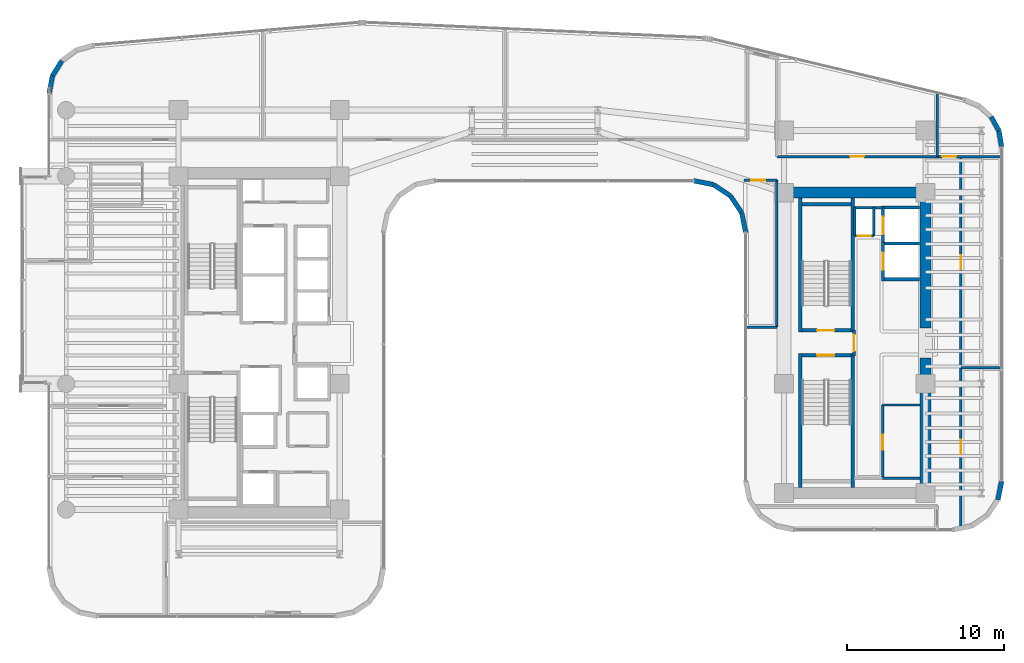
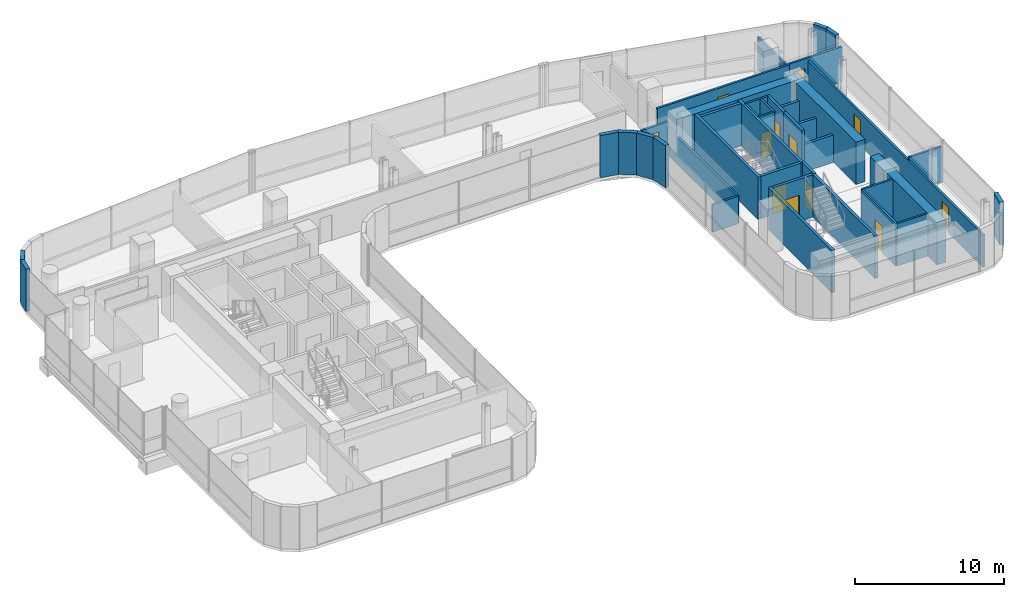
# One storey, part 28 of 34: 40 walls, 12 doors, 12 openings.
"""IFC4 building model written with IfcOpenShell, lengths in metres."""

import ifcopenshell
import ifcopenshell.guid

model = None  # the IFC model being written
_history = None  # IfcOwnerHistory: only IFC2X3 demands one
_inside = {}  # id of a spatial element -> (the spatial element, [elements in it])
_under = {}  # id of a project, library or spatial element -> (it, [spatial elements below it])
_declared = {}  # id of a project -> (the project, [libraries it declares])
_typed = {}  # id of a type object -> (the type object, [elements of that type])
_made_of = {}  # id of a material, layer set ... -> (it, [elements and type objects made of it])


def new_model(schema):
    """Start an empty IFC model of exactly this schema.

    Asked for "IFC4X3", IfcOpenShell would pick the latest addendum, in which some entities
    have other attributes; the version numbers below select the first issue.
    IFC2X3 requires an IfcOwnerHistory on every rooted entity: one is made here for all.
    """
    global model, _history
    if schema == "IFC4X3":
        model = ifcopenshell.file(schema_version=(4, 3, 0, 0))
    else:
        model = ifcopenshell.file(schema=schema)
    _inside.clear()
    _under.clear()
    _declared.clear()
    _typed.clear()
    _made_of.clear()
    _history = None
    if model.schema == "IFC2X3":
        org = make("IfcOrganization", Name="unknown")
        user = make(
            "IfcPersonAndOrganization",
            ThePerson=make("IfcPerson", FamilyName="unknown"),
            TheOrganization=org,
        )
        app = make(
            "IfcApplication",
            ApplicationDeveloper=org,
            Version="unknown",
            ApplicationFullName="unknown",
            ApplicationIdentifier="unknown",
        )
        _history = make(
            "IfcOwnerHistory",
            OwningUser=user,
            OwningApplication=app,
            ChangeAction="ADDED",
            CreationDate=0,
        )
    return model


def make(cls, **values):
    """One entity of the class cls with the attributes given. An attribute that is None is left unset."""
    return model.create_entity(
        cls, **{name: value for name, value in values.items() if value is not None}
    )


def rooted(cls, **values):
    """An entity with a GlobalId (a new one), such as an element, a storey or a relation."""
    return make(cls, GlobalId=ifcopenshell.guid.new(), OwnerHistory=_history, **values)


def si_unit(unit_type, name, prefix=None):
    """IfcSIUnit, for example si_unit("LENGTHUNIT", "METRE", prefix="MILLI")."""
    return make("IfcSIUnit", UnitType=unit_type, Prefix=prefix, Name=name)


def assignment(units):
    """IfcUnitAssignment: the units of a project."""
    return None if units is None else make("IfcUnitAssignment", Units=units)


def point(xyz):
    """IfcCartesianPoint."""
    return None if xyz is None else make("IfcCartesianPoint", Coordinates=xyz)


def direction(xyz):
    """IfcDirection."""
    return None if xyz is None else make("IfcDirection", DirectionRatios=xyz)


def frame(location, z_axis=None, x_axis=None):
    """IfcAxis2Placement3D, a coordinate frame: its origin and axes. An axis left out is left unset."""
    return make(
        "IfcAxis2Placement3D",
        Location=point(location),
        Axis=direction(z_axis),
        RefDirection=direction(x_axis),
    )


def frame_2d(location, x_axis=None):
    """IfcAxis2Placement2D, a coordinate frame in the plane: its origin and x axis."""
    return make(
        "IfcAxis2Placement2D", Location=point(location), RefDirection=direction(x_axis)
    )


def origin():
    """The frame at (0, 0, 0) with its axes left unset."""
    return frame((0.0, 0.0, 0.0))


def place(relative_to, where):
    """IfcLocalPlacement: puts the frame where relative to a parent placement (None: the world)."""
    return make(
        "IfcLocalPlacement", PlacementRelTo=relative_to, RelativePlacement=where
    )


def context(
    kind, dimensions, precision=None, world=None, true_north=None, identifier=None
):
    """IfcGeometricRepresentationContext, for example the 3D "Model" context."""
    return make(
        "IfcGeometricRepresentationContext",
        ContextIdentifier=identifier,
        ContextType=kind,
        CoordinateSpaceDimension=dimensions,
        Precision=precision,
        WorldCoordinateSystem=world,
        TrueNorth=true_north,
    )


def subcontext(parent, identifier, kind, view, scale=None):
    """IfcGeometricRepresentationSubContext, for example "Body" below "Model"."""
    return make(
        "IfcGeometricRepresentationSubContext",
        ContextIdentifier=identifier,
        ContextType=kind,
        ParentContext=parent,
        TargetScale=scale,
        TargetView=view,
    )


def project(units=None, contexts=None):
    """IfcProject with its units and contexts."""
    return rooted(
        "IfcProject",
        Name="project",
        RepresentationContexts=contexts,
        UnitsInContext=assignment(units),
    )


def spatial(cls, under=None, at=None, **own):
    """A site, building, storey or space (cls), placed at a placement, below another one or the project."""
    s = rooted(cls, ObjectPlacement=at, **own)
    if under is not None:
        _under.setdefault(under.id(), (under, []))[1].append(s)
    return s


def profile(cls, at=None, kind="AREA", **sizes):
    """A parametric profile (cls). Its sizes go by their IFC names, for example OverallWidth=200.0."""
    return make(cls, ProfileType=kind, Position=at, **sizes)


def rectangle(**sizes):
    """IfcRectangleProfileDef."""
    return profile("IfcRectangleProfileDef", **sizes)


def extrude(swept, where, along, depth):
    """IfcExtrudedAreaSolid: the profile swept, set in the frame where, extruded along a direction by depth."""
    return make(
        "IfcExtrudedAreaSolid",
        SweptArea=swept,
        Position=where,
        ExtrudedDirection=direction(along),
        Depth=depth,
    )


def shape(context_of_items, identifier, shape_type, items):
    """IfcShapeRepresentation: the items that make up one representation, for example the "Body"."""
    return make(
        "IfcShapeRepresentation",
        ContextOfItems=context_of_items,
        RepresentationIdentifier=identifier,
        RepresentationType=shape_type,
        Items=items,
    )


def material(Name=None, Category=None):
    """IfcMaterial."""
    return make("IfcMaterial", Name=Name, Category=Category)


def layer(
    of_material, thickness, ventilated=None, Name=None, Category=None, Priority=None
):
    """IfcMaterialLayer: one layer of a wall or slab, of a material (None: an air gap)."""
    return make(
        "IfcMaterialLayer",
        Material=of_material,
        LayerThickness=thickness,
        IsVentilated=ventilated,
        Name=Name,
        Category=Category,
        Priority=Priority,
    )


def layer_set(layers, Name=None):
    """IfcMaterialLayerSet."""
    return make("IfcMaterialLayerSet", MaterialLayers=layers, LayerSetName=Name)


def made_of(thing, what):
    """Note that an element or type object is made of a material, layer set ...; save() writes the relation."""
    if what is not None:
        _made_of.setdefault(what.id(), (what, []))[1].append(thing)
    return thing


def type_object(cls, material=None, **own):
    """A type object (cls), such as IfcWallType, which elements share."""
    return made_of(rooted(cls, **own), material)


def element(
    cls,
    number,
    at=None,
    inside=None,
    cuts=None,
    type_object=None,
    material=None,
    context=None,
    identifier="Body",
    shape_type=None,
    held_by="IfcProductDefinitionShape",
    body=None,
    shapes=None,
    **own,
):
    """One element of the class cls, such as IfcWall. Its Tag is "e" and its number.

    at: its placement. inside: the storey or other place that contains it. cuts: it is an
    opening in that element (IfcRelVoidsElement). A single representation is given by context,
    identifier, shape_type and body (its items); several are given by shapes. held_by: the class
    of the entity that holds the representations. save() writes the other relations.
    """
    e = rooted(cls, Tag="e%d" % number, ObjectPlacement=at, **own)
    if body is not None:
        shapes = [shape(context, identifier, shape_type, body)]
    if shapes is not None:
        e.Representation = make(held_by, Representations=shapes)
    if inside is not None:
        _inside.setdefault(inside.id(), (inside, []))[1].append(e)
    if cuts is not None:
        rooted(
            "IfcRelVoidsElement", RelatingBuildingElement=cuts, RelatedOpeningElement=e
        )
    if type_object is not None:
        _typed.setdefault(type_object.id(), (type_object, []))[1].append(e)
    return made_of(e, material)


def fill(opening, filler):
    """IfcRelFillsElement: the door or window that sits in an opening."""
    return rooted(
        "IfcRelFillsElement",
        RelatingOpeningElement=opening,
        RelatedBuildingElement=filler,
    )


def aggregate(whole, parts):
    """IfcRelAggregates: a whole, such as a stair, and the parts it consists of."""
    return rooted("IfcRelAggregates", RelatingObject=whole, RelatedObjects=parts)


def save(model, path):
    """Write the relations noted so far, then the file.

    IfcRelAggregates (storeys below a building ...), IfcRelContainedInSpatialStructure (elements
    in a storey), IfcRelDefinesByType, IfcRelAssociatesMaterial and IfcRelDeclares: one each for
    every whole, place, type object, material and project.
    """
    for whole, parts in _under.values():
        aggregate(whole, parts)
    for where, things in _inside.values():
        rooted(
            "IfcRelContainedInSpatialStructure",
            RelatedElements=things,
            RelatingStructure=where,
        )
    for kind, things in _typed.values():
        rooted("IfcRelDefinesByType", RelatedObjects=things, RelatingType=kind)
    for what, things in _made_of.values():
        rooted("IfcRelAssociatesMaterial", RelatedObjects=things, RelatingMaterial=what)
    for by, libraries in _declared.values():
        rooted("IfcRelDeclares", RelatingContext=by, RelatedDefinitions=libraries)
    model.write(path)


model = new_model("IFC4")

# Units and contexts
model_context = context("Model", 3, precision=1e-05, world=origin(), true_north=direction((0.0, 1.0)))
body_context = subcontext(model_context, "Body", "Model", "MODEL_VIEW")
ifc_project = project(units=[si_unit("LENGTHUNIT", "METRE"), si_unit("AREAUNIT", "SQUARE_METRE"), si_unit("VOLUMEUNIT", "CUBIC_METRE"), si_unit("PLANEANGLEUNIT", "RADIAN"), si_unit("MASSUNIT", "GRAM", prefix="KILO")], contexts=[model_context])

# Site, building, storey
site_placement = place(None, origin())
site = spatial("IfcSite", under=ifc_project, at=site_placement, CompositionType="ELEMENT")
building_placement = place(site_placement, origin())
building = spatial("IfcBuilding", under=site, at=building_placement, Name="Valdorenza Pilgrim Sanctuary Tower", CompositionType="ELEMENT")
storey_placement = place(building_placement, frame((0.0, 0.0, 142.699951171875)))
storey = spatial("IfcBuildingStorey", under=building, at=storey_placement, Name="L36", CompositionType="ELEMENT", Elevation=142.699951171875)

# Wall, opening, door
ifc_material_1 = material(Name="Acoustic twin-stud gypsum partition", Category="gypsum")
ifc_layer_1 = layer(ifc_material_1, 0.159912109375, Name="Acoustic twin-stud gypsum partition")
ifc_layer_set_1 = layer_set([ifc_layer_1], Name="Acoustic twin-stud gypsum partition")
wall_type_1 = type_object("IfcWallType", Name="WAL-COR-160", PredefinedType="PARTITIONING", material=ifc_layer_set_1)
wall_1_placement = place(storey_placement, frame((20.35009765625, 6.800048828125, 0.0), z_axis=(0.0, 0.0, 1.0), x_axis=(1.0, 0.0, 0.0)))
wall_1 = element("IfcWall", 1, at=wall_1_placement, inside=storey, type_object=wall_type_1, Name="L36 Core B Riser South Wall", PredefinedType="PARTITIONING", context=body_context, shape_type="SweptSolid", body=[
    extrude(rectangle(XDim=1.199951171875, YDim=0.159912109375, at=frame_2d((0.60009765625, 0.0))), origin(), (0.0, 0.0, 1.0), 3.4599609375),
])
opening_1_placement = place(wall_1_placement, frame((0.175048828125, 0.0, 0.0)))
opening_1 = element("IfcOpeningElement", 2, at=opening_1_placement, cuts=wall_1, Name="Opening DR-RS1", PredefinedType="OPENING", context=body_context, shape_type="SweptSolid", body=[
    extrude(rectangle(XDim=0.85009765625, YDim=2.050048828125, at=frame_2d((0.425048828125, 1.02490234375))), frame((0.0, 0.0947265625, 0.0), z_axis=(0.0, -1.0, 0.0), x_axis=(1.0, 0.0, 0.0)), (0.0, 0.0, 1.0), 0.189697265625),
])
ifc_material_2 = material(Name="Painted galvanized steel", Category="steel")
door_type_1 = type_object("IfcDoorType", Name="DR-RSR-850", OperationType="NOTDEFINED", PredefinedType="DOOR", material=ifc_material_2)
door_1_placement = place(opening_1_placement, origin())
door_1 = element("IfcDoor", 3, at=door_1_placement, inside=storey, type_object=door_type_1, Name="L36 Core B Electrical Riser Door", OperationType="SINGLE_SWING_RIGHT", OverallHeight=2.050048828125, OverallWidth=0.85009765625, PredefinedType="DOOR", context=body_context, shape_type="SweptSolid", body=[
    extrude(rectangle(XDim=0.85009765625, YDim=2.050048828125, at=frame_2d((0.425048828125, 1.02490234375))), frame((0.0, 0.02490234375, 0.0), z_axis=(0.0, -1.0, 0.0), x_axis=(1.0, 0.0, 0.0)), (0.0, 0.0, 1.0), 0.050048828125),
])
fill(opening_1, door_1)

# Walls
for number, where, z_axis, x_axis, name in (
    (4, (21.550048828125, 6.800048828125, 0.0), (0.0, 0.0, 1.0), (0.0, 1.0, 0.0), "L36 Core B Riser East Wall"),
    (5, (20.35009765625, 6.800048828125, 0.0), (0.0, 0.0, 1.0), (0.0, 1.0, 0.0), "L36 Core B Riser West Wall"),
):
    element("IfcWall", number, at=place(storey_placement, frame(where, z_axis=z_axis, x_axis=x_axis)), inside=storey, type_object=wall_type_1, Name=name, PredefinedType="PARTITIONING", context=body_context, shape_type="SweptSolid", body=[
        extrude(rectangle(XDim=1.800048828125, YDim=0.159912109375, at=frame_2d((0.89990234375, 0.0))), origin(), (0.0, 0.0, 1.0), 3.4599609375),
    ])
wall_2_placement = place(storey_placement, frame((20.300048828125, 8.60009765625, 0.0), z_axis=(0.0, 0.0, 1.0), x_axis=(1.0, 0.0, 0.0)))
element("IfcWall", 6, at=wall_2_placement, inside=storey, type_object=wall_type_1, Name="L36 Core B Lift Hall North End Wall", PredefinedType="PARTITIONING", context=body_context, shape_type="SweptSolid", body=[
    extrude(rectangle(XDim=1.820068359375, YDim=0.159912109375, at=frame_2d((0.91015625, 0.0))), origin(), (0.0, 0.0, 1.0), 3.4599609375),
])

# Wall, opening, door
wall_3_placement = place(storey_placement, frame((22.1201171875, -8.60009765625, 0.0), z_axis=(0.0, 0.0, 1.0), x_axis=(0.0, 1.0, 0.0)))
wall_3 = element("IfcWall", 7, at=wall_3_placement, inside=storey, type_object=wall_type_1, Name="L36 Core B Freed Shaft West Wall", PredefinedType="PARTITIONING", context=body_context, shape_type="SweptSolid", body=[
    extrude(rectangle(XDim=4.650146484375, YDim=0.159912109375, at=frame_2d((2.3251953125, 0.0))), origin(), (0.0, 0.0, 1.0), 3.4599609375),
])
opening_2_placement = place(wall_3_placement, frame((1.800048828125, 0.0, 0.0)))
opening_2 = element("IfcOpeningElement", 8, at=opening_2_placement, cuts=wall_3, Name="Opening DR-UN1", PredefinedType="OPENING", context=body_context, shape_type="SweptSolid", body=[
    extrude(rectangle(XDim=0.949951171875, YDim=2.14990234375, at=frame_2d((0.47509765625, 1.074951171875))), frame((0.0, 0.0947265625, 0.0), z_axis=(0.0, -1.0, 0.0), x_axis=(1.0, 0.0, 0.0)), (0.0, 0.0, 1.0), 0.189697265625),
])
ifc_material_3 = material(Name="Solid-core European oak timber", Category="wood")
door_type_2 = type_object("IfcDoorType", Name="DR-UNIT-950", OperationType="NOTDEFINED", PredefinedType="DOOR", material=ifc_material_3)
door_2_placement = place(opening_2_placement, origin())
door_2 = element("IfcDoor", 9, at=door_2_placement, inside=storey, type_object=door_type_2, Name="L36 East Core Linen Store Door", OperationType="SINGLE_SWING_LEFT", OverallHeight=2.14990234375, OverallWidth=0.949951171875, PredefinedType="DOOR", context=body_context, shape_type="SweptSolid", body=[
    extrude(rectangle(XDim=0.949951171875, YDim=2.14990234375, at=frame_2d((0.47509765625, 1.074951171875))), frame((0.0, 0.02490234375, 0.0), z_axis=(0.0, -1.0, 0.0), x_axis=(1.0, 0.0, 0.0)), (0.0, 0.0, 1.0), 0.050048828125),
])
fill(opening_2, door_2)

wall_4_placement = place(storey_placement, frame((15.39990234375, 11.85009765625, 0.0), z_axis=(0.0, 0.0, 1.0), x_axis=(1.0, 0.0, 0.0)))
wall_4 = element("IfcWall", 10, at=wall_4_placement, inside=storey, type_object=wall_type_1, Name="L36 Wing B North Corridor Wall", PredefinedType="PARTITIONING", context=body_context, shape_type="SweptSolid", body=[
    extrude(rectangle(XDim=10.2001953125, YDim=0.159912109375, at=frame_2d((5.10009765625, 0.0))), origin(), (0.0, 0.0, 1.0), 2.833984375),
])
opening_3_placement = place(wall_4_placement, frame((4.64990234375, 0.0, 0.0)))
opening_3 = element("IfcOpeningElement", 11, at=opening_3_placement, cuts=wall_4, Name="Opening DR-RM1", PredefinedType="OPENING", context=body_context, shape_type="SweptSolid", body=[
    extrude(rectangle(XDim=0.89990234375, YDim=2.10009765625, at=frame_2d((0.449951171875, 1.050048828125))), frame((0.0, 0.0947265625, 0.0), z_axis=(0.0, -1.0, 0.0), x_axis=(1.0, 0.0, 0.0)), (0.0, 0.0, 1.0), 0.189697265625),
])
door_type_3 = type_object("IfcDoorType", Name="DR-ROOM-900", OperationType="NOTDEFINED", PredefinedType="DOOR", material=ifc_material_3)
door_3_placement = place(opening_3_placement, frame((0.89990234375, 0.0, 0.0), z_axis=(0.0, 0.0, 1.0), x_axis=(-1.0, 0.0, 0.0)))
door_3 = element("IfcDoor", 12, at=door_3_placement, inside=storey, type_object=door_type_3, Name="L36 Curator Research Office L36-BN1 Door", OperationType="SINGLE_SWING_LEFT", OverallHeight=2.10009765625, OverallWidth=0.89990234375, PredefinedType="DOOR", context=body_context, shape_type="SweptSolid", body=[
    extrude(rectangle(XDim=0.89990234375, YDim=2.10009765625, at=frame_2d((0.449951171875, 1.050048828125))), frame((0.0, 0.02490234375, 0.0), z_axis=(0.0, -1.0, 0.0), x_axis=(1.0, 0.0, 0.0)), (0.0, 0.0, 1.0), 0.050048828125),
])
fill(opening_3, door_3)

# Wall
wall_5_placement = place(storey_placement, frame((25.60009765625, 11.85009765625, 0.0), z_axis=(0.0, 0.0, 1.0), x_axis=(0.0, 1.0, 0.0)))
element("IfcWall", 13, at=wall_5_placement, inside=storey, type_object=wall_type_1, Name="L36 Wing B North East Wall", PredefinedType="PARTITIONING", context=body_context, shape_type="SweptSolid", body=[
    extrude(rectangle(XDim=4.042236328125, YDim=0.159912109375, at=frame_2d((2.02099609375, 0.0))), origin(), (0.0, 0.0, 1.0), 2.666015625),
])

# Wall, openings, doors
wall_6_placement = place(storey_placement, frame((27.10009765625, -11.660888671875, 0.0), z_axis=(0.0, 0.0, 1.0), x_axis=(0.0, 1.0, 0.0)))
wall_6 = element("IfcWall", 14, at=wall_6_placement, inside=storey, type_object=wall_type_1, Name="L36 Wing B East Corridor Wall", PredefinedType="PARTITIONING", context=body_context, shape_type="SweptSolid", body=[
    extrude(rectangle(XDim=23.510986328125, YDim=0.159912109375, at=frame_2d((11.75537109375, 0.0))), origin(), (0.0, 0.0, 1.0), 2.666015625),
])
opening_4_placement = place(wall_6_placement, frame((4.593017578125, 0.0, 0.0)))
opening_4 = element("IfcOpeningElement", 15, at=opening_4_placement, cuts=wall_6, Name="Opening DR-RM1", PredefinedType="OPENING", context=body_context, shape_type="SweptSolid", body=[
    extrude(rectangle(XDim=0.89990234375, YDim=2.10009765625, at=frame_2d((0.449951171875, 1.050048828125))), frame((0.0, 0.0947265625, 0.0), z_axis=(0.0, -1.0, 0.0), x_axis=(1.0, 0.0, 0.0)), (0.0, 0.0, 1.0), 0.189697265625),
])
opening_5_placement = place(wall_6_placement, frame((16.347900390625, 0.0, 0.0)))
opening_5 = element("IfcOpeningElement", 16, at=opening_5_placement, cuts=wall_6, Name="Opening DR-RM1", PredefinedType="OPENING", context=body_context, shape_type="SweptSolid", body=[
    extrude(rectangle(XDim=0.89990234375, YDim=2.10009765625, at=frame_2d((0.449951171875, 1.050048828125))), frame((0.0, 0.0947265625, 0.0), z_axis=(0.0, -1.0, 0.0), x_axis=(1.0, 0.0, 0.0)), (0.0, 0.0, 1.0), 0.189697265625),
])
door_4_placement = place(opening_4_placement, origin())
door_4 = element("IfcDoor", 17, at=door_4_placement, inside=storey, type_object=door_type_3, Name="L36 Private Banquet Dining Room L36-EB1 Door", OperationType="SINGLE_SWING_RIGHT", OverallHeight=2.10009765625, OverallWidth=0.89990234375, PredefinedType="DOOR", context=body_context, shape_type="SweptSolid", body=[
    extrude(rectangle(XDim=0.89990234375, YDim=2.10009765625, at=frame_2d((0.449951171875, 1.050048828125))), frame((0.0, 0.02490234375, 0.0), z_axis=(0.0, -1.0, 0.0), x_axis=(1.0, 0.0, 0.0)), (0.0, 0.0, 1.0), 0.050048828125),
])
fill(opening_4, door_4)
door_5_placement = place(opening_5_placement, frame((0.89990234375, 0.0, 0.0), z_axis=(0.0, 0.0, 1.0), x_axis=(-1.0, 0.0, 0.0)))
door_5 = element("IfcDoor", 18, at=door_5_placement, inside=storey, type_object=door_type_3, Name="L36 Private Banquet Dining Room L36-EB2 Door", OperationType="SINGLE_SWING_LEFT", OverallHeight=2.10009765625, OverallWidth=0.89990234375, PredefinedType="DOOR", context=body_context, shape_type="SweptSolid", body=[
    extrude(rectangle(XDim=0.89990234375, YDim=2.10009765625, at=frame_2d((0.449951171875, 1.050048828125))), frame((0.0, 0.02490234375, 0.0), z_axis=(0.0, -1.0, 0.0), x_axis=(1.0, 0.0, 0.0)), (0.0, 0.0, 1.0), 0.050048828125),
])
fill(opening_5, door_5)

# Wall, opening, door
wall_7_placement = place(storey_placement, frame((25.60009765625, 11.85009765625, 0.0), z_axis=(0.0, 0.0, 1.0), x_axis=(1.0, 0.0, 0.0)))
wall_7 = element("IfcWall", 19, at=wall_7_placement, inside=storey, type_object=wall_type_1, Name="L36 East Wing NE Corner South Wall", PredefinedType="PARTITIONING", context=body_context, shape_type="SweptSolid", body=[
    extrude(rectangle(XDim=4.08984375, YDim=0.159912109375, at=frame_2d((2.044921875, 0.0))), origin(), (0.0, 0.0, 1.0), 2.89599609375),
])
opening_6_placement = place(wall_7_placement, frame((0.300048828125, 0.0, 0.0)))
opening_6 = element("IfcOpeningElement", 20, at=opening_6_placement, cuts=wall_7, Name="Opening DR-RM1", PredefinedType="OPENING", context=body_context, shape_type="SweptSolid", body=[
    extrude(rectangle(XDim=0.89990234375, YDim=2.10009765625, at=frame_2d((0.449951171875, 1.050048828125))), frame((0.0, 0.0947265625, 0.0), z_axis=(0.0, -1.0, 0.0), x_axis=(1.0, 0.0, 0.0)), (0.0, 0.0, 1.0), 0.189697265625),
])
door_6_placement = place(opening_6_placement, origin())
door_6 = element("IfcDoor", 21, at=door_6_placement, inside=storey, type_object=door_type_3, Name="L36 East North Alcove Office L36 Door", OperationType="SINGLE_SWING_LEFT", OverallHeight=2.10009765625, OverallWidth=0.89990234375, PredefinedType="DOOR", context=body_context, shape_type="SweptSolid", body=[
    extrude(rectangle(XDim=0.89990234375, YDim=2.10009765625, at=frame_2d((0.449951171875, 1.050048828125))), frame((0.0, 0.02490234375, 0.0), z_axis=(0.0, -1.0, 0.0), x_axis=(1.0, 0.0, 0.0)), (0.0, 0.0, 1.0), 0.050048828125),
])
fill(opening_6, door_6)

wall_8_placement = place(storey_placement, frame((13.300048828125, 10.35009765625, 0.0), z_axis=(0.0, 0.0, 1.0), x_axis=(1.0, 0.0, 0.0)))
wall_8 = element("IfcWall", 22, at=wall_8_placement, inside=storey, type_object=wall_type_1, Name="L36 Courtyard Overlook North Wall", PredefinedType="PARTITIONING", context=body_context, shape_type="SweptSolid", body=[
    extrude(rectangle(XDim=2.099853515625, YDim=0.159912109375, at=frame_2d((1.0498046875, 0.0))), origin(), (0.0, 0.0, 1.0), 2.666015625),
])
opening_7_placement = place(wall_8_placement, frame((0.449951171875, 0.0, 0.0)))
opening_7 = element("IfcOpeningElement", 23, at=opening_7_placement, cuts=wall_8, Name="Opening DR-RM1", PredefinedType="OPENING", context=body_context, shape_type="SweptSolid", body=[
    extrude(rectangle(XDim=0.89990234375, YDim=2.10009765625, at=frame_2d((0.449951171875, 1.050048828125))), frame((0.0, 0.0947265625, 0.0), z_axis=(0.0, -1.0, 0.0), x_axis=(1.0, 0.0, 0.0)), (0.0, 0.0, 1.0), 0.189697265625),
])
door_7_placement = place(opening_7_placement, origin())
door_7 = element("IfcDoor", 24, at=door_7_placement, inside=storey, type_object=door_type_3, Name="L36 Courtyard Overlook Salon Door", OperationType="SINGLE_SWING_RIGHT", OverallHeight=2.10009765625, OverallWidth=0.89990234375, PredefinedType="DOOR", context=body_context, shape_type="SweptSolid", body=[
    extrude(rectangle(XDim=0.89990234375, YDim=2.10009765625, at=frame_2d((0.449951171875, 1.050048828125))), frame((0.0, 0.02490234375, 0.0), z_axis=(0.0, -1.0, 0.0), x_axis=(1.0, 0.0, 0.0)), (0.0, 0.0, 1.0), 0.050048828125),
])
fill(opening_7, door_7)

# Walls
wall_9_placement = place(storey_placement, frame((15.39990234375, 1.0, 0.0), z_axis=(0.0, 0.0, 1.0), x_axis=(0.0, 1.0, 0.0)))
element("IfcWall", 25, at=wall_9_placement, inside=storey, type_object=wall_type_1, Name="L36 Courtyard Overlook East Wall", PredefinedType="PARTITIONING", context=body_context, shape_type="SweptSolid", body=[
    extrude(rectangle(XDim=9.35009765625, YDim=0.159912109375, at=frame_2d((4.675048828125, 0.0))), origin(), (0.0, 0.0, 1.0), 2.2451171875),
])
wall_10_placement = place(storey_placement, frame((13.409912109375, 1.0, 0.0), z_axis=(0.0, 0.0, 1.0), x_axis=(1.0, 0.0, 0.0)))
element("IfcWall", 26, at=wall_10_placement, inside=storey, type_object=wall_type_1, Name="L36 Courtyard Overlook South Wall", PredefinedType="PARTITIONING", context=body_context, shape_type="SweptSolid", body=[
    extrude(rectangle(XDim=1.989990234375, YDim=0.159912109375, at=frame_2d((0.9951171875, 0.0))), origin(), (0.0, 0.0, 1.0), 2.2451171875),
])
ifc_material_4 = material(Name="Concrete C60/75", Category="concrete")
ifc_layer_2 = layer(ifc_material_4, 0.699951171875, Name="Concrete C60/75")
ifc_layer_set_2 = layer_set([ifc_layer_2], Name="Concrete C60/75")
wall_type_2 = type_object("IfcWallType", Name="WAL-COR-700", PredefinedType="SHEAR", material=ifc_layer_set_2)
for number, where, z_axis, x_axis, name in (
    (27, (24.85009765625, -9.89990234375, 0.0), (0.0, 0.0, 1.0), (0.0, 1.0, 0.0), "L36 Split Core B Shear Wall ES"),
    (28, (24.85009765625, 0.949951171875, 0.0), (0.0, 0.0, 1.0), (0.0, 1.0, 0.0), "L36 Split Core B Shear Wall EN"),
):
    element("IfcWall", number, at=place(storey_placement, frame(where, z_axis=z_axis, x_axis=x_axis)), inside=storey, type_object=wall_type_2, Name=name, PredefinedType="SHEAR", context=body_context, shape_type="SweptSolid", body=[
        extrude(rectangle(XDim=8.949951171875, YDim=0.699951171875, at=frame_2d((4.47509765625, 0.0))), origin(), (0.0, 0.0, 1.0), 3.4599609375),
    ])
wall_11_placement = place(storey_placement, frame((15.85009765625, 9.550048828125, 0.0), z_axis=(0.0, 0.0, 1.0), x_axis=(1.0, 0.0, 0.0)))
element("IfcWall", 29, at=wall_11_placement, inside=storey, type_object=wall_type_2, Name="L36 Split Core B Shear Wall N", PredefinedType="SHEAR", context=body_context, shape_type="SweptSolid", body=[
    extrude(rectangle(XDim=9.0, YDim=0.699951171875, at=frame_2d((4.5, 0.0))), origin(), (0.0, 0.0, 1.0), 3.4599609375),
])
ifc_material_5 = material(Name="Honed travertine limestone", Category="masonry")
ifc_layer_3 = layer(ifc_material_5, 0.300048828125, Name="Honed travertine limestone")
ifc_layer_set_3 = layer_set([ifc_layer_3], Name="Honed travertine limestone")
wall_type_3 = type_object("IfcWallType", Name="WAL-EXT-300", PredefinedType="SOLIDWALL", material=ifc_layer_set_3)
wall_12_placement = place(storey_placement, frame((-30.889892578125, 15.850341796875, 0.0), z_axis=(0.0, 0.0, 1.0), x_axis=(0.184557499391, 0.982821718023, 0.0)))
element("IfcWall", 30, at=wall_12_placement, inside=storey, type_object=wall_type_3, Name="L36 Rounded Wind-Corner Stone Pier 2", PredefinedType="SOLIDWALL", context=body_context, shape_type="SweptSolid", body=[
    extrude(rectangle(XDim=1.15087890625, YDim=0.300048828125, at=frame_2d((0.575439453125, 0.0))), origin(), (0.0, 0.0, 1.0), 3.4599609375),
])
wall_13_placement = place(storey_placement, frame((-30.677490234375, 16.9814453125, 0.0), z_axis=(0.0, 0.0, 1.0), x_axis=(0.52880576008, 0.848742875143, 0.0)))
element("IfcWall", 31, at=wall_13_placement, inside=storey, type_object=wall_type_3, Name="L36 Rounded Wind-Corner Stone Pier 3", PredefinedType="SOLIDWALL", context=body_context, shape_type="SweptSolid", body=[
    extrude(rectangle(XDim=1.140869140625, YDim=0.300048828125, at=frame_2d((0.5703125, 0.0))), origin(), (0.0, 0.0, 1.0), 3.4599609375),
])
wall_14_placement = place(storey_placement, frame((29.024658203125, 14.388427734375, 0.0), z_axis=(0.0, 0.0, 1.0), x_axis=(0.480284137298, -0.87711296163, 0.0)))
element("IfcWall", 32, at=wall_14_placement, inside=storey, type_object=wall_type_3, Name="L36 Rounded Wind-Corner Stone Pier 19", PredefinedType="SOLIDWALL", context=body_context, shape_type="SweptSolid", body=[
    extrude(rectangle(XDim=1.02685546875, YDim=0.300048828125, at=frame_2d((0.513427734375, 0.0))), origin(), (0.0, 0.0, 1.0), 3.4599609375),
])
wall_15_placement = place(storey_placement, frame((29.517822265625, 13.48779296875, 0.0), z_axis=(0.0, 0.0, 1.0), x_axis=(0.166156796952, -0.986099345313, 0.0)))
element("IfcWall", 33, at=wall_15_placement, inside=storey, type_object=wall_type_3, Name="L36 Rounded Wind-Corner Stone Pier 20", PredefinedType="SOLIDWALL", context=body_context, shape_type="SweptSolid", body=[
    extrude(rectangle(XDim=1.035888671875, YDim=0.300048828125, at=frame_2d((0.51806640625, 0.0))), origin(), (0.0, 0.0, 1.0), 3.4599609375),
])
wall_16_placement = place(storey_placement, frame((29.68994140625, -8.789306640625, 0.0), z_axis=(0.0, 0.0, 1.0), x_axis=(-0.194996050505, -0.980804027463, 0.0)))
element("IfcWall", 34, at=wall_16_placement, inside=storey, type_object=wall_type_3, Name="L36 Rounded Wind-Corner Stone Pier 22", PredefinedType="SOLIDWALL", context=body_context, shape_type="SweptSolid", body=[
    extrude(rectangle(XDim=1.2158203125, YDim=0.300048828125, at=frame_2d((0.60791015625, 0.0))), origin(), (0.0, 0.0, 1.0), 3.4599609375),
])
wall_17_placement = place(storey_placement, frame((13.409912109375, 7.0107421875, 0.0), z_axis=(0.0, 0.0, 1.0), x_axis=(-0.195090163074, 0.980785312019, 0.0)))
element("IfcWall", 35, at=wall_17_placement, inside=storey, type_object=wall_type_3, Name="L36 Rounded Wind-Corner Stone Pier 32", PredefinedType="SOLIDWALL", context=body_context, shape_type="SweptSolid", body=[
    extrude(rectangle(XDim=1.281494140625, YDim=0.300048828125, at=frame_2d((0.640625, 0.0))), origin(), (0.0, 0.0, 1.0), 3.4599609375),
])
for number, where, z_axis, x_axis, name in (
    (36, (13.159912109375, 8.267578125, 0.0), (0.0, 0.0, 1.0), (-0.555615398575, 0.831439431869, 0.0), "L36 Rounded Wind-Corner Stone Pier 33"),
    (37, (12.44189453125, 9.342041015625, 0.0), (0.0, 0.0, 1.0), (-0.831439431869, 0.555615398575, 0.0), "L36 Rounded Wind-Corner Stone Pier 34"),
):
    element("IfcWall", number, at=place(storey_placement, frame(where, z_axis=z_axis, x_axis=x_axis)), inside=storey, type_object=wall_type_3, Name=name, PredefinedType="SOLIDWALL", context=body_context, shape_type="SweptSolid", body=[
        extrude(rectangle(XDim=1.292236328125, YDim=0.300048828125, at=frame_2d((0.64599609375, 0.0))), origin(), (0.0, 0.0, 1.0), 3.4599609375),
    ])
wall_18_placement = place(storey_placement, frame((11.367431640625, 10.06005859375, 0.0), z_axis=(0.0, 0.0, 1.0), x_axis=(-0.980778058848, 0.195126623715, 0.0)))
element("IfcWall", 38, at=wall_18_placement, inside=storey, type_object=wall_type_3, Name="L36 Rounded Wind-Corner Stone Pier 35", PredefinedType="SOLIDWALL", context=body_context, shape_type="SweptSolid", body=[
    extrude(rectangle(XDim=1.28125, YDim=0.300048828125, at=frame_2d((0.640625, 0.0))), origin(), (0.0, 0.0, 1.0), 3.4599609375),
])

# Wall, opening, door
ifc_material_6 = material(Name="Gypsum shaftwall partition", Category="gypsum")
ifc_layer_4 = layer(ifc_material_6, 0.199951171875, Name="Gypsum shaftwall partition")
ifc_layer_set_4 = layer_set([ifc_layer_4], Name="Gypsum shaftwall partition")
wall_type_4 = type_object("IfcWallType", Name="WAL-FFL-200", PredefinedType="PARTITIONING", material=ifc_layer_set_4)
wall_19_placement = place(storey_placement, frame((20.300048828125, -0.820068359375, 0.0), z_axis=(0.0, 0.0, 1.0), x_axis=(0.0, 1.0, 0.0)))
wall_19 = element("IfcWall", 39, at=wall_19_placement, inside=storey, type_object=wall_type_4, Name="L36 Core B Firefighting Lobby East Wall", PredefinedType="PARTITIONING", context=body_context, shape_type="SweptSolid", body=[
    extrude(rectangle(XDim=1.64013671875, YDim=0.199951171875, at=frame_2d((0.820068359375, 0.0))), origin(), (0.0, 0.0, 1.0), 3.4599609375),
])
opening_8_placement = place(wall_19_placement, frame((0.294921875, 0.0, 0.0)))
opening_8 = element("IfcOpeningElement", 40, at=opening_8_placement, cuts=wall_19, Name="Opening DR-FL1", PredefinedType="OPENING", context=body_context, shape_type="SweptSolid", body=[
    extrude(rectangle(XDim=1.050048828125, YDim=2.14990234375, at=frame_2d((0.52490234375, 1.074951171875))), frame((0.0, 0.11474609375, 0.0), z_axis=(0.0, -1.0, 0.0), x_axis=(1.0, 0.0, 0.0)), (0.0, 0.0, 1.0), 0.229736328125),
])
door_type_4 = type_object("IfcDoorType", Name="DR-FFL-1050", OperationType="NOTDEFINED", PredefinedType="DOOR", material=ifc_material_2)
door_8_placement = place(opening_8_placement, frame((1.050048828125, 0.0, 0.0), z_axis=(0.0, 0.0, 1.0), x_axis=(-1.0, 0.0, 0.0)))
door_8 = element("IfcDoor", 41, at=door_8_placement, inside=storey, type_object=door_type_4, Name="L36 Core B Firefighting Lobby Door", OperationType="SINGLE_SWING_LEFT", OverallHeight=2.14990234375, OverallWidth=1.050048828125, PredefinedType="DOOR", context=body_context, shape_type="SweptSolid", body=[
    extrude(rectangle(XDim=1.050048828125, YDim=2.14990234375, at=frame_2d((0.52490234375, 1.074951171875))), frame((0.0, 0.02490234375, 0.0), z_axis=(0.0, -1.0, 0.0), x_axis=(1.0, 0.0, 0.0)), (0.0, 0.0, 1.0), 0.050048828125),
])
fill(opening_8, door_8)

ifc_material_7 = material(Name="Autoclaved aerated concrete blockwork", Category="masonry")
ifc_layer_5 = layer(ifc_material_7, 0.199951171875, Name="Autoclaved aerated concrete blockwork")
ifc_layer_set_5 = layer_set([ifc_layer_5], Name="Autoclaved aerated concrete blockwork")
wall_type_5 = type_object("IfcWallType", Name="WAL-SHF-200", PredefinedType="MOVABLE", material=ifc_layer_set_5)
wall_20_placement = place(storey_placement, frame((22.14990234375, 3.949951171875, 0.0), z_axis=(0.0, 0.0, 1.0), x_axis=(0.0, 1.0, 0.0)))
wall_20 = element("IfcWall", 42, at=wall_20_placement, inside=storey, type_object=wall_type_5, Name="L36 Lift PL-07 Hoistway Wall West", PredefinedType="MOVABLE", context=body_context, shape_type="SweptSolid", body=[
    extrude(rectangle(XDim=2.47509765625, YDim=0.199951171875, at=frame_2d((1.237548828125, 0.0))), origin(), (0.0, 0.0, 1.0), 3.4599609375),
])
opening_9_placement = place(wall_20_placement, frame((0.6875, 0.0, 0.0)))
opening_9 = element("IfcOpeningElement", 43, at=opening_9_placement, cuts=wall_20, Name="Opening LD-01", PredefinedType="OPENING", context=body_context, shape_type="SweptSolid", body=[
    extrude(rectangle(XDim=1.10009765625, YDim=2.10009765625, at=frame_2d((0.550048828125, 1.050048828125))), frame((0.0, 0.11474609375, 0.0), z_axis=(0.0, -1.0, 0.0), x_axis=(1.0, 0.0, 0.0)), (0.0, 0.0, 1.0), 0.229736328125),
])
ifc_material_8 = material(Name="Brushed stainless steel Grade 316", Category="steel")
door_type_5 = type_object("IfcDoorType", Name="DR-LFT-1100", OperationType="DOUBLE_DOOR_SLIDING", PredefinedType="DOOR", material=ifc_material_8)
door_9_placement = place(opening_9_placement, origin())
door_9 = element("IfcDoor", 44, at=door_9_placement, inside=storey, type_object=door_type_5, Name="L36 Lift PL-07 Sliding Landing Door", OperationType="DOUBLE_DOOR_SLIDING", OverallHeight=2.10009765625, OverallWidth=1.10009765625, PredefinedType="DOOR", context=body_context, shape_type="SweptSolid", body=[
    extrude(rectangle(XDim=1.10009765625, YDim=2.10009765625, at=frame_2d((0.550048828125, 1.050048828125))), frame((0.0, 0.02490234375, 0.0), z_axis=(0.0, -1.0, 0.0), x_axis=(1.0, 0.0, 0.0)), (0.0, 0.0, 1.0), 0.050048828125),
])
fill(opening_9, door_9)

# Walls
for number, where, z_axis, x_axis, name in (
    (45, (22.25, 4.050048828125, 0.0), (0.0, 0.0, 1.0), (1.0, 0.0, 0.0), "L36 Lift PL-07 Hoistway Wall South"),
    (46, (22.25, 6.324951171875, 0.0), (0.0, 0.0, 1.0), (1.0, 0.0, 0.0), "L36 Lift PL-07 Hoistway Wall North"),
):
    element("IfcWall", number, at=place(storey_placement, frame(where, z_axis=z_axis, x_axis=x_axis)), inside=storey, type_object=wall_type_5, Name=name, PredefinedType="MOVABLE", context=body_context, shape_type="SweptSolid", body=[
        extrude(rectangle(XDim=2.22998046875, YDim=0.199951171875, at=frame_2d((1.114990234375, 0.0))), origin(), (0.0, 0.0, 1.0), 2.2451171875),
    ])

# Wall, opening, door
wall_21_placement = place(storey_placement, frame((22.14990234375, 6.22509765625, 0.0), z_axis=(0.0, 0.0, 1.0), x_axis=(0.0, 1.0, 0.0)))
wall_21 = element("IfcWall", 47, at=wall_21_placement, inside=storey, type_object=wall_type_5, Name="L36 Lift PL-08 Hoistway Wall West", PredefinedType="MOVABLE", context=body_context, shape_type="SweptSolid", body=[
    extrude(rectangle(XDim=2.474853515625, YDim=0.199951171875, at=frame_2d((1.2373046875, 0.0))), origin(), (0.0, 0.0, 1.0), 3.4599609375),
])
opening_10_placement = place(wall_21_placement, frame((0.6875, 0.0, 0.0)))
opening_10 = element("IfcOpeningElement", 48, at=opening_10_placement, cuts=wall_21, Name="Opening LD-01", PredefinedType="OPENING", context=body_context, shape_type="SweptSolid", body=[
    extrude(rectangle(XDim=1.10009765625, YDim=2.10009765625, at=frame_2d((0.550048828125, 1.050048828125))), frame((0.0, 0.11474609375, 0.0), z_axis=(0.0, -1.0, 0.0), x_axis=(1.0, 0.0, 0.0)), (0.0, 0.0, 1.0), 0.229736328125),
])
door_10_placement = place(opening_10_placement, origin())
door_10 = element("IfcDoor", 49, at=door_10_placement, inside=storey, type_object=door_type_5, Name="L36 Lift PL-08 Sliding Landing Door", OperationType="DOUBLE_DOOR_SLIDING", OverallHeight=2.10009765625, OverallWidth=1.10009765625, PredefinedType="DOOR", context=body_context, shape_type="SweptSolid", body=[
    extrude(rectangle(XDim=1.10009765625, YDim=2.10009765625, at=frame_2d((0.550048828125, 1.050048828125))), frame((0.0, 0.02490234375, 0.0), z_axis=(0.0, -1.0, 0.0), x_axis=(1.0, 0.0, 0.0)), (0.0, 0.0, 1.0), 0.050048828125),
])
fill(opening_10, door_10)

# Walls
wall_22_placement = place(storey_placement, frame((22.25, 8.60009765625, 0.0), z_axis=(0.0, 0.0, 1.0), x_axis=(1.0, 0.0, 0.0)))
element("IfcWall", 50, at=wall_22_placement, inside=storey, type_object=wall_type_5, Name="L36 Lift PL-08 Hoistway Wall North", PredefinedType="MOVABLE", context=body_context, shape_type="SweptSolid", body=[
    extrude(rectangle(XDim=2.22998046875, YDim=0.199951171875, at=frame_2d((1.114990234375, 0.0))), origin(), (0.0, 0.0, 1.0), 2.2451171875),
])
ifc_material_9 = material(Name="Concrete C40/50", Category="concrete")
ifc_layer_6 = layer(ifc_material_9, 0.219970703125, Name="Concrete C40/50")
ifc_layer_set_6 = layer_set([ifc_layer_6], Name="Concrete C40/50")
wall_type_6 = type_object("IfcWallType", Name="WAL-STR-SHF-220", PredefinedType="SHEAR", material=ifc_layer_set_6)
for number, where, z_axis, x_axis, name in (
    (51, (16.889892578125, 0.679931640625, 0.0), (0.0, 0.0, 1.0), (0.0, 1.0, 0.0), "L36 ST-B1 Structural Stairwell Wall W"),
    (52, (20.219970703125, 0.679931640625, 0.0), (0.0, 0.0, 1.0), (0.0, 1.0, 0.0), "L36 ST-B1 Structural Stairwell Wall E"),
):
    element("IfcWall", number, at=place(storey_placement, frame(where, z_axis=z_axis, x_axis=x_axis)), inside=storey, type_object=wall_type_6, Name=name, PredefinedType="SHEAR", context=body_context, shape_type="SweptSolid", body=[
        extrude(rectangle(XDim=8.52001953125, YDim=0.219970703125, at=frame_2d((4.260009765625, 0.0))), origin(), (0.0, 0.0, 1.0), 3.4599609375),
    ])

# Wall, opening, door
wall_23_placement = place(storey_placement, frame((17.0, 0.7900390625, 0.0), z_axis=(0.0, 0.0, 1.0), x_axis=(1.0, 0.0, 0.0)))
wall_23 = element("IfcWall", 53, at=wall_23_placement, inside=storey, type_object=wall_type_6, Name="L36 ST-B1 Structural Stairwell Wall S", PredefinedType="SHEAR", context=body_context, shape_type="SweptSolid", body=[
    extrude(rectangle(XDim=3.110107421875, YDim=0.219970703125, at=frame_2d((1.55517578125, 0.0))), origin(), (0.0, 0.0, 1.0), 3.4599609375),
])
opening_11_placement = place(wall_23_placement, frame((0.949951171875, 0.0, 0.0)))
opening_11 = element("IfcOpeningElement", 54, at=opening_11_placement, cuts=wall_23, Name="Opening DR-ST1", PredefinedType="OPENING", context=body_context, shape_type="SweptSolid", body=[
    extrude(rectangle(XDim=1.10009765625, YDim=2.14990234375, at=frame_2d((0.550048828125, 1.074951171875))), frame((0.0, 0.125, 0.0), z_axis=(0.0, -1.0, 0.0), x_axis=(1.0, 0.0, 0.0)), (0.0, 0.0, 1.0), 0.249755859375),
])
door_type_6 = type_object("IfcDoorType", Name="DR-STAIR-1100", OperationType="NOTDEFINED", PredefinedType="DOOR", material=ifc_material_2)
door_11_placement = place(opening_11_placement, origin())
door_11 = element("IfcDoor", 55, at=door_11_placement, inside=storey, type_object=door_type_6, Name="L36 Exit Stair ST-B1 Door", OperationType="SINGLE_SWING_RIGHT", OverallHeight=2.14990234375, OverallWidth=1.10009765625, PredefinedType="DOOR", context=body_context, shape_type="SweptSolid", body=[
    extrude(rectangle(XDim=1.10009765625, YDim=2.14990234375, at=frame_2d((0.550048828125, 1.074951171875))), frame((0.0, 0.02490234375, 0.0), z_axis=(0.0, -1.0, 0.0), x_axis=(1.0, 0.0, 0.0)), (0.0, 0.0, 1.0), 0.050048828125),
])
fill(opening_11, door_11)

# Walls
wall_24_placement = place(storey_placement, frame((17.0, 8.81005859375, 0.0), z_axis=(0.0, 0.0, 1.0), x_axis=(1.0, 0.0, 0.0)))
element("IfcWall", 56, at=wall_24_placement, inside=storey, type_object=wall_type_6, Name="L36 ST-B1 Structural Stairwell Wall N", PredefinedType="SHEAR", context=body_context, shape_type="SweptSolid", body=[
    extrude(rectangle(XDim=3.110107421875, YDim=0.219970703125, at=frame_2d((1.55517578125, 0.0))), origin(), (0.0, 0.0, 1.0), 3.4599609375),
])
for number, where, z_axis, x_axis, name in (
    (57, (16.889892578125, -9.199951171875, 0.0), (0.0, 0.0, 1.0), (0.0, 1.0, 0.0), "L36 ST-B2 Structural Stairwell Wall W"),
    (58, (20.219970703125, -9.199951171875, 0.0), (0.0, 0.0, 1.0), (0.0, 1.0, 0.0), "L36 ST-B2 Structural Stairwell Wall E"),
):
    element("IfcWall", number, at=place(storey_placement, frame(where, z_axis=z_axis, x_axis=x_axis)), inside=storey, type_object=wall_type_6, Name=name, PredefinedType="SHEAR", context=body_context, shape_type="SweptSolid", body=[
        extrude(rectangle(XDim=8.52001953125, YDim=0.219970703125, at=frame_2d((4.260009765625, 0.0))), origin(), (0.0, 0.0, 1.0), 3.4599609375),
    ])

# Wall, opening, door
wall_25_placement = place(storey_placement, frame((17.0, -0.7900390625, 0.0), z_axis=(0.0, 0.0, 1.0), x_axis=(1.0, 0.0, 0.0)))
wall_25 = element("IfcWall", 59, at=wall_25_placement, inside=storey, type_object=wall_type_6, Name="L36 ST-B2 Structural Stairwell Wall N", PredefinedType="SHEAR", context=body_context, shape_type="SweptSolid", body=[
    extrude(rectangle(XDim=3.110107421875, YDim=0.219970703125, at=frame_2d((1.55517578125, 0.0))), origin(), (0.0, 0.0, 1.0), 3.4599609375),
])
opening_12_placement = place(wall_25_placement, frame((0.949951171875, 0.0, 0.0)))
opening_12 = element("IfcOpeningElement", 60, at=opening_12_placement, cuts=wall_25, Name="Opening DR-ST1", PredefinedType="OPENING", context=body_context, shape_type="SweptSolid", body=[
    extrude(rectangle(XDim=1.10009765625, YDim=2.14990234375, at=frame_2d((0.550048828125, 1.074951171875))), frame((0.0, 0.125, 0.0), z_axis=(0.0, -1.0, 0.0), x_axis=(1.0, 0.0, 0.0)), (0.0, 0.0, 1.0), 0.249755859375),
])
door_12_placement = place(opening_12_placement, frame((1.10009765625, 0.0, 0.0), z_axis=(0.0, 0.0, 1.0), x_axis=(-1.0, 0.0, 0.0)))
door_12 = element("IfcDoor", 61, at=door_12_placement, inside=storey, type_object=door_type_6, Name="L36 Exit Stair ST-B2 Door", OperationType="SINGLE_SWING_LEFT", OverallHeight=2.14990234375, OverallWidth=1.10009765625, PredefinedType="DOOR", context=body_context, shape_type="SweptSolid", body=[
    extrude(rectangle(XDim=1.10009765625, YDim=2.14990234375, at=frame_2d((0.550048828125, 1.074951171875))), frame((0.0, 0.02490234375, 0.0), z_axis=(0.0, -1.0, 0.0), x_axis=(1.0, 0.0, 0.0)), (0.0, 0.0, 1.0), 0.050048828125),
])
fill(opening_12, door_12)

# Walls
ifc_layer_7 = layer(ifc_material_1, 0.14990234375, Name="Acoustic twin-stud gypsum partition")
ifc_layer_set_7 = layer_set([ifc_layer_7], Name="Acoustic twin-stud gypsum partition")
wall_type_7 = type_object("IfcWallType", Name="WAL-UNT-150", PredefinedType="PARTITIONING", material=ifc_layer_set_7)
for number, where, z_axis, x_axis, name in (
    (62, (22.1201171875, -3.949951171875, 0.0), (0.0, 0.0, 1.0), (1.0, 0.0, 0.0), "L36 Core B Freed Shaft North Wall"),
    (63, (22.1201171875, -8.60009765625, 0.0), (0.0, 0.0, 1.0), (1.0, 0.0, 0.0), "L36 Core B Freed Shaft South Wall"),
):
    element("IfcWall", number, at=place(storey_placement, frame(where, z_axis=z_axis, x_axis=x_axis)), inside=storey, type_object=wall_type_7, Name=name, PredefinedType="PARTITIONING", context=body_context, shape_type="SweptSolid", body=[
        extrude(rectangle(XDim=2.3798828125, YDim=0.14990234375, at=frame_2d((1.18994140625, 0.0))), origin(), (0.0, 0.0, 1.0), 3.4599609375),
    ])
wall_26_placement = place(storey_placement, frame((27.10009765625, -1.574951171875, 0.0), z_axis=(0.0, 0.0, 1.0), x_axis=(1.0, 0.0, 0.0)))
element("IfcWall", 64, at=wall_26_placement, inside=storey, type_object=wall_type_7, Name="L36 Private Banquet Dining Room L36-EB2 Demising Wall", PredefinedType="PARTITIONING", context=body_context, shape_type="SweptSolid", body=[
    extrude(rectangle(XDim=2.58984375, YDim=0.14990234375, at=frame_2d((1.294921875, 0.0))), origin(), (0.0, 0.0, 1.0), 2.89599609375),
])

save(model, "model.ifc")
